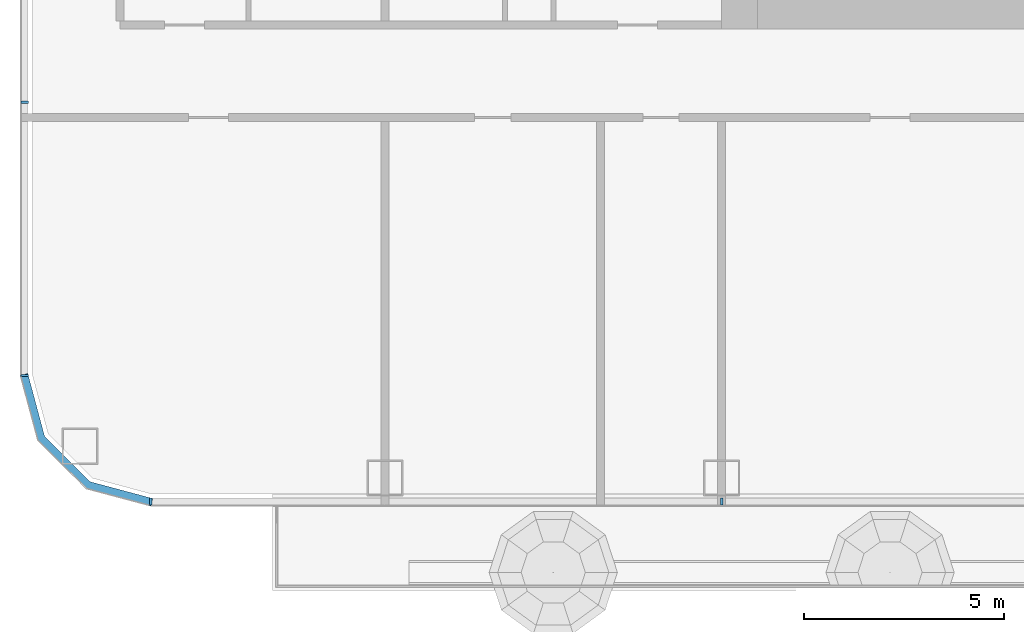
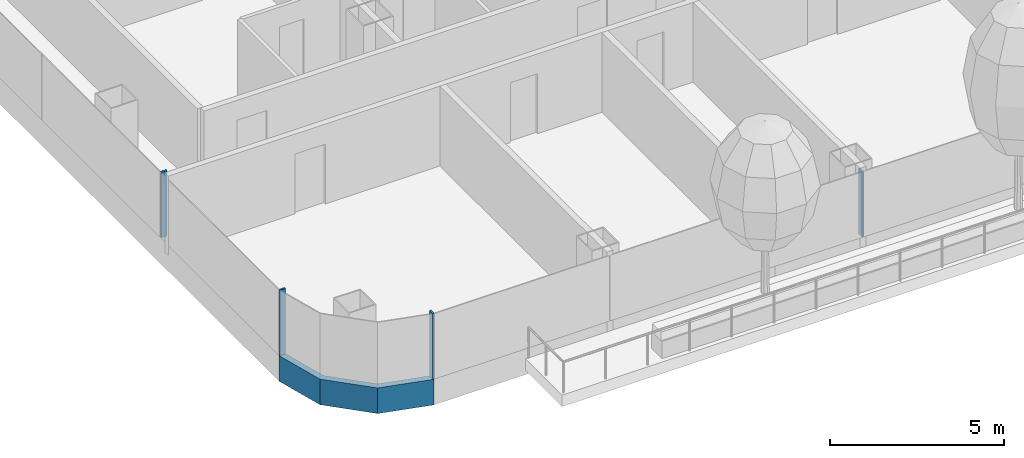
# One storey, part 2 of 36: 5 members, 3 elements without a shape of their own.
"""IFC4 building model written with IfcOpenShell, lengths in metres."""

from ifc_helpers import new_model, si_unit, direction, frame, origin, origin_2d, place, context, subcontext, project, spatial, polyline, rectangle, outline, extrude, material, layer, layer_set, material_profile, profile_set, type_object, element, aggregate, save


model = new_model("IFC4")

# Units and contexts
model_context = context("Model", 3, precision=1e-05, world=origin(), true_north=direction((0.0, 1.0)))
body_context = subcontext(model_context, "Body", "Model", "MODEL_VIEW")
ifc_project = project(units=[si_unit("LENGTHUNIT", "METRE"), si_unit("AREAUNIT", "SQUARE_METRE"), si_unit("VOLUMEUNIT", "CUBIC_METRE"), si_unit("PLANEANGLEUNIT", "RADIAN"), si_unit("MASSUNIT", "GRAM", prefix="KILO")], contexts=[model_context])

# Site, building, storey
site_placement = place(None, origin())
site = spatial("IfcSite", under=ifc_project, at=site_placement, CompositionType="ELEMENT")
building_placement = place(site_placement, origin())
building = spatial("IfcBuilding", under=site, at=building_placement, Name="Hakoniwa Tower and Hamabe Station Hall", CompositionType="ELEMENT")
storey_placement = place(building_placement, frame((0.0, 0.0, 26.199951171875)))
storey = spatial("IfcBuildingStorey", under=building, at=storey_placement, Name="L06", CompositionType="ELEMENT", Elevation=26.199951171875)

# Curtain wall, member
ifc_material_1 = material(Name="Dark low-e laminated glass", Category="glass")
ifc_layer = layer(ifc_material_1, 0.199951171875)
ifc_layer_set = layer_set([ifc_layer], Name="CW-1 UNITISED GUEST")
curtain_wall_type = type_object("IfcCurtainWallType", Name="CW-1 UNITISED GUEST", PredefinedType="NOTDEFINED", material=ifc_layer_set)
curtain_wall_1_placement = place(storey_placement, origin())
curtain_wall_1 = element("IfcCurtainWall", 1, at=curtain_wall_1_placement, inside=storey, type_object=curtain_wall_type, Name="CW-1 curtain wall", PredefinedType="NOTDEFINED")
ifc_material_2 = material(Name="Aluminium 6063-T5 black anodised", Category="aluminium")
ifc_material_profile_1 = material_profile(ifc_material_2, rectangle(XDim=0.199951171875, YDim=0.89990234375, at=origin_2d()), Name="CW SLAB-EDGE BAND 900X200")
ifc_profile_set_1 = profile_set([ifc_material_profile_1], Name="Aluminium 6063-T5 black anodised")
member_type_1 = type_object("IfcMemberType", Name="CW SLAB-EDGE BAND 900X200", PredefinedType="USERDEFINED", material=ifc_profile_set_1)
member_1_placement = place(storey_placement, frame((0.0, 0.0, -0.550048828125)))
member_1 = element("IfcMember", 2, at=member_1_placement, type_object=member_type_1, Name="CW-1 transom", ObjectType="TRANSOM", PredefinedType="USERDEFINED", context=body_context, shape_type="SweptSolid", body=[
    extrude(outline(polyline([(-51.10009765625, -17.03955078125), (-50.6669921875, -18.6552734375), (-49.455322265625, -19.866943359375), (-47.839599609375, -20.300048828125), (-47.787841796875, -20.10693359375), (-49.351806640625, -19.687744140625), (-50.48779296875, -18.5517578125), (-50.90673828125, -16.98779296875), (-51.10009765625, -17.03955078125)])), origin(), (0.0, 0.0, 1.0), 0.900146484375),
])
aggregate(curtain_wall_1, [member_1])

# Curtain wall, members
curtain_wall_2_placement = place(storey_placement, origin())
curtain_wall_2 = element("IfcCurtainWall", 3, at=curtain_wall_2_placement, inside=storey, type_object=curtain_wall_type, Name="CW-1 curtain wall", PredefinedType="NOTDEFINED")
ifc_material_3 = material(Name="Aluminium 6063-T5 black anodised", Category="aluminium")
ifc_material_profile_2 = material_profile(ifc_material_3, rectangle(XDim=0.06005859375, YDim=0.179931640625, at=origin_2d()), Name="CW-1 MULLION 60X180")
ifc_profile_set_2 = profile_set([ifc_material_profile_2], Name="Aluminium 6063-T5 black anodised")
member_type_2 = type_object("IfcMemberType", Name="CW-1 MULLION 60X180", PredefinedType="MULLION", material=ifc_profile_set_2)
member_2_placement = place(storey_placement, frame((-50.98193359375, -10.2236328125, 0.35009765625), z_axis=(0.0, 0.0, 1.0), x_axis=(0.0, -1.0, 0.0)))
member_2 = element("IfcMember", 4, at=member_2_placement, type_object=member_type_2, Name="CW-1 mullion", PredefinedType="MULLION", context=body_context, shape_type="SweptSolid", body=[
    extrude(rectangle(XDim=0.06005859375, YDim=0.179931640625, at=origin_2d()), origin(), (0.0, 0.0, 1.0), 2.300048828125),
])
member_3_placement = place(storey_placement, frame((-50.98193359375, -17.03955078125, 0.35009765625), z_axis=(0.0, 0.0, 1.0), x_axis=(0.0, -1.0, 0.0)))
member_3 = element("IfcMember", 5, at=member_3_placement, type_object=member_type_2, Name="CW-1 mullion", PredefinedType="MULLION", context=body_context, shape_type="SweptSolid", body=[
    extrude(rectangle(XDim=0.06005859375, YDim=0.179931640625, at=origin_2d()), origin(), (0.0, 0.0, 1.0), 2.300048828125),
])
aggregate(curtain_wall_2, [member_2, member_3])

curtain_wall_3_placement = place(storey_placement, origin())
curtain_wall_3 = element("IfcCurtainWall", 6, at=curtain_wall_3_placement, inside=storey, type_object=curtain_wall_type, Name="CW-1 curtain wall", PredefinedType="NOTDEFINED")
member_4_placement = place(storey_placement, frame((-47.839599609375, -20.181884765625, 0.35009765625), z_axis=(0.0, 0.0, 1.0), x_axis=(1.0, 0.0, 0.0)))
member_4 = element("IfcMember", 7, at=member_4_placement, type_object=member_type_2, Name="CW-1 mullion", PredefinedType="MULLION", context=body_context, shape_type="SweptSolid", body=[
    extrude(rectangle(XDim=0.06005859375, YDim=0.179931640625, at=origin_2d()), origin(), (0.0, 0.0, 1.0), 2.300048828125),
])
member_5_placement = place(storey_placement, frame((-33.60009765625, -20.181884765625, 0.35009765625), z_axis=(0.0, 0.0, 1.0), x_axis=(1.0, 0.0, 0.0)))
member_5 = element("IfcMember", 8, at=member_5_placement, type_object=member_type_2, Name="CW-1 mullion", PredefinedType="MULLION", context=body_context, shape_type="SweptSolid", body=[
    extrude(rectangle(XDim=0.06005859375, YDim=0.179931640625, at=origin_2d()), origin(), (0.0, 0.0, 1.0), 2.300048828125),
])
aggregate(curtain_wall_3, [member_4, member_5])

save(model, "model.ifc")
